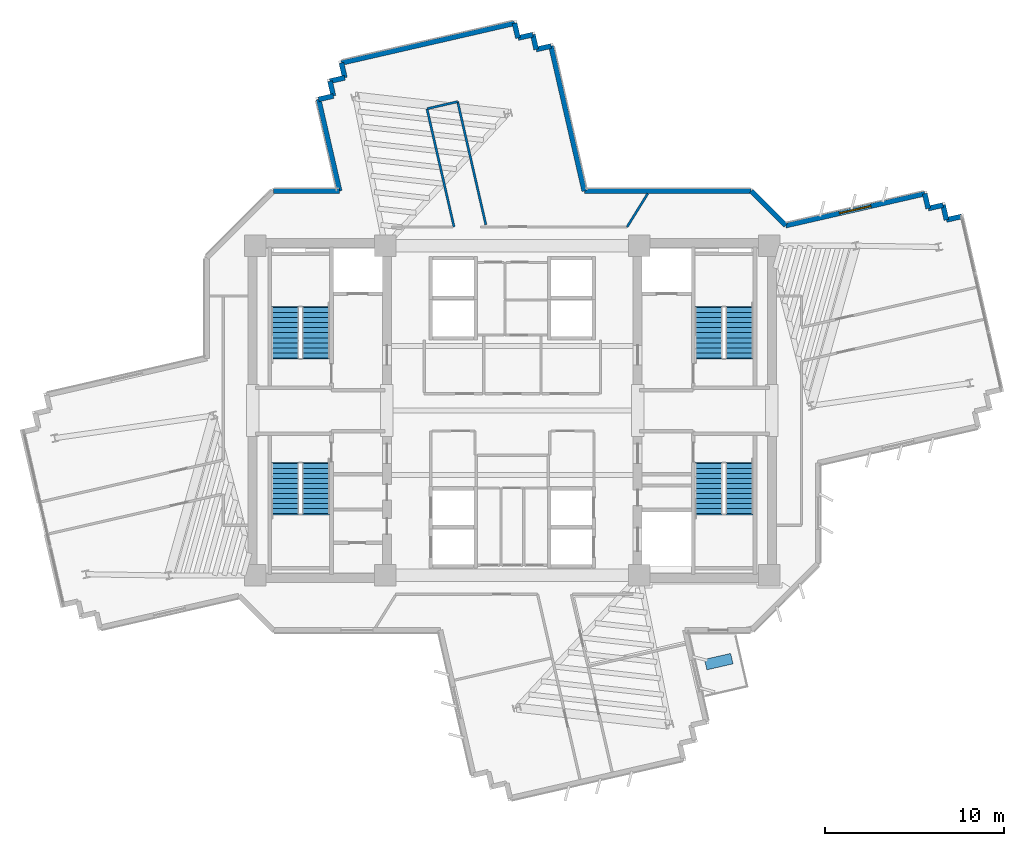
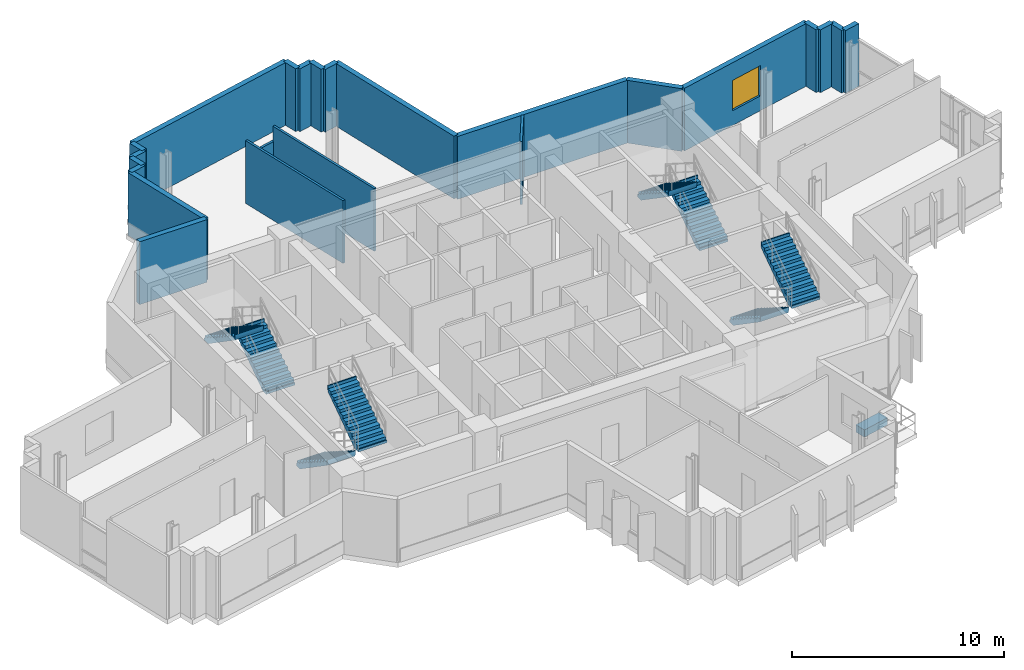
# One storey, part 10 of 13: 23 walls, 8 stair flights, 1 discrete accessory, 1 window, 1 opening, 4 elements without a shape of their own.
"""IFC4 building model written with IfcOpenShell, lengths in metres."""

from ifc_helpers import new_model, si_unit, direction, frame, frame_2d, origin, origin_2d, place, context, subcontext, project, spatial, polyline, rectangle, outline, extrude, source, transform, mapped, material, layer, layer_set, type_object, element, fill, aggregate, save


model = new_model("IFC4")

# Units and contexts
model_context = context("Model", 3, precision=1e-05, world=origin(), true_north=direction((0.0, 1.0)))
body_context = subcontext(model_context, "Body", "Model", "MODEL_VIEW")
ifc_project = project(units=[si_unit("LENGTHUNIT", "METRE"), si_unit("AREAUNIT", "SQUARE_METRE"), si_unit("VOLUMEUNIT", "CUBIC_METRE"), si_unit("PLANEANGLEUNIT", "RADIAN"), si_unit("MASSUNIT", "GRAM", prefix="KILO")], contexts=[model_context])

# Site, building, storey
site_placement = place(None, origin())
site = spatial("IfcSite", under=ifc_project, at=site_placement, CompositionType="ELEMENT")
building_placement = place(site_placement, origin())
building = spatial("IfcBuilding", under=site, at=building_placement, Name="Zahravan Cultural Tower", CompositionType="ELEMENT")
storey_placement = place(building_placement, frame((0.0, 0.0, 170.699951171875)))
storey = spatial("IfcBuildingStorey", under=building, at=storey_placement, Name="L39", CompositionType="ELEMENT", Elevation=170.699951171875)

# Wall, opening, window
ifc_material_1 = material(Name="Precast concrete C40/50", Category="concrete")
ifc_layer_1 = layer(ifc_material_1, 0.280029296875)
ifc_layer_set_1 = layer_set([ifc_layer_1], Name="Precast concrete C40/50")
wall_type_1 = type_object("IfcWallType", Name="EW-TC-280", PredefinedType="SOLIDWALL", material=ifc_layer_set_1)
wall_1_placement = place(storey_placement, frame((51.266845703125, 37.335205078125, 0.0), z_axis=(0.0, 0.0, 1.0), x_axis=(0.974683655327, 0.223588398711, 0.0)))
wall_1 = element("IfcWall", 1, at=wall_1_placement, inside=storey, type_object=wall_type_1, Name="L39 Exterior Masonry Frame Wall 01", PredefinedType="SOLIDWALL", context=body_context, shape_type="SweptSolid", body=[
    extrude(rectangle(XDim=7.96875, YDim=0.280029296875, at=frame_2d((3.984375, 0.0))), origin(), (0.0, 0.0, 1.0), 3.6201171875),
])
opening_placement = place(wall_1_placement, frame((3.083984375, 0.0, 0.85009765625)))
opening = element("IfcOpeningElement", 2, at=opening_placement, cuts=wall_1, Name="Opening WN-02", PredefinedType="OPENING", context=body_context, shape_type="SweptSolid", body=[
    extrude(rectangle(XDim=1.800048828125, YDim=1.75, at=frame_2d((0.89990234375, 0.875))), frame((0.0, 0.14990234375, 0.0), z_axis=(0.0, -1.0, 0.0), x_axis=(1.0, 0.0, 0.0)), (0.0, 0.0, 1.0), 0.300048828125),
])
ifc_material_2 = material(Name="Low-E solar-control double glazing", Category="glass")
window_type = type_object("IfcWindowType", Name="WN-REC-1800X1750", PartitioningType="DOUBLE_PANEL_VERTICAL", PredefinedType="WINDOW", material=ifc_material_2)
shared_shape_1 = source(origin(), body_context, "Body", "SweptSolid", [
    extrude(rectangle(XDim=1.800048828125, YDim=1.75, at=frame_2d((0.89990234375, 0.875))), frame((0.0, 0.030029296875, 0.0), z_axis=(0.0, -1.0, 0.0), x_axis=(1.0, 0.0, 0.0)), (0.0, 0.0, 1.0), 0.06005859375),
])
window_placement = place(opening_placement, origin())
window = element("IfcWindow", 3, at=window_placement, inside=storey, type_object=window_type, Name="L39 Recessed Solar Window 01", OverallHeight=1.75, OverallWidth=1.800048828125, PartitioningType="DOUBLE_PANEL_VERTICAL", PredefinedType="WINDOW", context=body_context, shape_type="MappedRepresentation", body=[
    mapped(shared_shape_1, transform((0.0, 0.0, 0.0), x_axis=(1.0, 0.0, 0.0), y_axis=(0.0, 1.0, 0.0), z_axis=(0.0, 0.0, 1.0), scale=1.0)),
])
fill(opening, window)

# Walls
shared_shape_2 = source(origin(), body_context, "Body", "SweptSolid", [
    extrude(rectangle(XDim=0.85009765625, YDim=0.280029296875, at=frame_2d((0.425048828125, 0.0))), origin(), (0.0, 0.0, 1.0), 3.6201171875),
])
for number, where, z_axis, x_axis, name in (
    (4, (59.033935546875, 39.116943359375, 0.0), (0.0, 0.0, 1.0), (0.223433001597, -0.974719289743, 0.0), "L39 Exterior Masonry Frame Wall 02"),
    (5, (59.223876953125, 38.288330078125, 0.0), (0.0, 0.0, 1.0), (0.974656710285, 0.22370582714, 0.0), "L39 Exterior Masonry Frame Wall 03"),
    (6, (60.052490234375, 38.478515625, 0.0), (0.0, 0.0, 1.0), (0.22370582714, -0.974656710285, 0.0), "L39 Exterior Masonry Frame Wall 04"),
    (7, (26.00830078125, 44.57080078125, 0.0), (0.0, 0.0, 1.0), (-0.223433001597, 0.974719289743, 0.0), "L39 Exterior Masonry Frame Wall 42"),
    (8, (25.818359375, 45.3994140625, 0.0), (0.0, 0.0, 1.0), (0.974719289743, 0.223433001597, 0.0), "L39 Exterior Masonry Frame Wall 43"),
    (9, (36.315673828125, 47.807373046875, 0.0), (0.0, 0.0, 1.0), (0.974719289743, 0.223433001597, 0.0), "L39 Exterior Masonry Frame Wall 47"),
):
    element("IfcWall", number, at=place(storey_placement, frame(where, z_axis=z_axis, x_axis=x_axis)), inside=storey, type_object=wall_type_1, Name=name, PredefinedType="SOLIDWALL", context=body_context, shape_type="MappedRepresentation", body=[
        mapped(shared_shape_2, transform((0.0, 0.0, 0.0), x_axis=(1.0, 0.0, 0.0), y_axis=(0.0, 1.0, 0.0), z_axis=(0.0, 0.0, 1.0), scale=1.0)),
    ])
shared_shape_3 = source(origin(), body_context, "Body", "SweptSolid", [
    extrude(rectangle(XDim=0.849853515625, YDim=0.280029296875, at=frame_2d((0.4248046875, 0.0))), origin(), (0.0, 0.0, 1.0), 3.6201171875),
])
for number, where, z_axis, x_axis, name in (
    (10, (25.179931640625, 44.380859375, 0.0), (0.0, 0.0, 1.0), (0.974704946586, 0.223495563939, 0.0), "L39 Exterior Masonry Frame Wall 41"),
    (11, (26.64697265625, 45.58935546875, 0.0), (0.0, 0.0, 1.0), (-0.223768457828, 0.974642333003, 0.0), "L39 Exterior Masonry Frame Wall 44"),
    (12, (36.12548828125, 48.6357421875, 0.0), (0.0, 0.0, 1.0), (0.223768457828, -0.974642333003, 0.0), "L39 Exterior Masonry Frame Wall 46"),
    (13, (37.144287109375, 47.997314453125, 0.0), (0.0, 0.0, 1.0), (0.223495563939, -0.974704946586, 0.0), "L39 Exterior Masonry Frame Wall 48"),
    (14, (37.334228515625, 47.1689453125, 0.0), (0.0, 0.0, 1.0), (0.974704946586, 0.223495563939, 0.0), "L39 Exterior Masonry Frame Wall 49"),
):
    element("IfcWall", number, at=place(storey_placement, frame(where, z_axis=z_axis, x_axis=x_axis)), inside=storey, type_object=wall_type_1, Name=name, PredefinedType="SOLIDWALL", context=body_context, shape_type="MappedRepresentation", body=[
        mapped(shared_shape_3, transform((0.0, 0.0, 0.0), x_axis=(1.0, 0.0, 0.0), y_axis=(0.0, 1.0, 0.0), z_axis=(0.0, 0.0, 1.0), scale=1.0)),
    ])
shared_shape_4 = source(origin(), body_context, "Body", "SweptSolid", [
    extrude(rectangle(XDim=9.919921875, YDim=0.280029296875, at=frame_2d((4.9599609375, 0.0))), origin(), (0.0, 0.0, 1.0), 3.6201171875),
])
wall_2_placement = place(storey_placement, frame((26.456787109375, 46.417724609375, 0.0), z_axis=(0.0, 0.0, 1.0), x_axis=(0.974682391567, 0.223593907719, 0.0)))
element("IfcWall", 15, at=wall_2_placement, inside=storey, type_object=wall_type_1, Name="L39 Exterior Masonry Frame Wall 45", PredefinedType="SOLIDWALL", context=body_context, shape_type="MappedRepresentation", body=[
    mapped(shared_shape_4, transform((0.0, 0.0, 0.0), x_axis=(1.0, 0.0, 0.0), y_axis=(0.0, 1.0, 0.0), z_axis=(0.0, 0.0, 1.0), scale=1.0)),
])
shared_shape_5 = source(origin(), body_context, "Body", "SweptSolid", [
    extrude(rectangle(XDim=0.849609375, YDim=0.280029296875, at=frame_2d((0.4248046875, 0.0))), origin(), (0.0, 0.0, 1.0), 3.6201171875),
])
wall_3_placement = place(storey_placement, frame((60.24267578125, 37.64990234375, 0.0), z_axis=(0.0, 0.0, 1.0), x_axis=(0.97462794364, 0.22383112267, 0.0)))
element("IfcWall", 16, at=wall_3_placement, inside=storey, type_object=wall_type_1, Name="L39 Exterior Masonry Frame Wall 05", PredefinedType="SOLIDWALL", context=body_context, shape_type="MappedRepresentation", body=[
    mapped(shared_shape_5, transform((0.0, 0.0, 0.0), x_axis=(1.0, 0.0, 0.0), y_axis=(0.0, 1.0, 0.0), z_axis=(0.0, 0.0, 1.0), scale=1.0)),
])
shared_shape_6 = source(origin(), body_context, "Body", "SweptSolid", [
    extrude(rectangle(XDim=2.72216796875, YDim=0.280029296875, at=frame_2d((1.361083984375, 0.0))), origin(), (0.0, 0.0, 1.0), 3.6201171875),
])
wall_4_placement = place(storey_placement, frame((49.342041015625, 39.260009765625, 0.0), z_axis=(0.0, 0.0, 1.0), x_axis=(0.707106781187, -0.707106781187, 0.0)))
element("IfcWall", 17, at=wall_4_placement, inside=storey, type_object=wall_type_1, Name="L39 Exterior Masonry Frame Wall 52", PredefinedType="SOLIDWALL", context=body_context, shape_type="MappedRepresentation", body=[
    mapped(shared_shape_6, transform((0.0, 0.0, 0.0), x_axis=(1.0, 0.0, 0.0), y_axis=(0.0, 1.0, 0.0), z_axis=(0.0, 0.0, 1.0), scale=1.0)),
])
shared_shape_7 = source(origin(), body_context, "Body", "SweptSolid", [
    extrude(rectangle(XDim=3.696533203125, YDim=0.280029296875, at=frame_2d((1.84814453125, 0.0))), origin(), (0.0, 0.0, 1.0), 3.6201171875),
])
wall_5_placement = place(storey_placement, frame((22.657958984375, 39.260009765625, 0.0), z_axis=(0.0, 0.0, 1.0), x_axis=(1.0, 0.0, 0.0)))
element("IfcWall", 18, at=wall_5_placement, inside=storey, type_object=wall_type_1, Name="L39 Exterior Masonry Frame Wall 39", PredefinedType="SOLIDWALL", context=body_context, shape_type="MappedRepresentation", body=[
    mapped(shared_shape_7, transform((0.0, 0.0, 0.0), x_axis=(1.0, 0.0, 0.0), y_axis=(0.0, 1.0, 0.0), z_axis=(0.0, 0.0, 1.0), scale=1.0)),
])
shared_shape_8 = source(origin(), body_context, "Body", "SweptSolid", [
    extrude(rectangle(XDim=5.25390625, YDim=0.280029296875, at=frame_2d((2.626953125, 0.0))), origin(), (0.0, 0.0, 1.0), 3.6201171875),
])
wall_6_placement = place(storey_placement, frame((26.3544921875, 39.260009765625, 0.0), z_axis=(0.0, 0.0, 1.0), x_axis=(-0.223562871808, 0.974689510741, 0.0)))
element("IfcWall", 19, at=wall_6_placement, inside=storey, type_object=wall_type_1, Name="L39 Exterior Masonry Frame Wall 40", PredefinedType="SOLIDWALL", context=body_context, shape_type="MappedRepresentation", body=[
    mapped(shared_shape_8, transform((0.0, 0.0, 0.0), x_axis=(1.0, 0.0, 0.0), y_axis=(0.0, 1.0, 0.0), z_axis=(0.0, 0.0, 1.0), scale=1.0)),
])
shared_shape_9 = source(origin(), body_context, "Body", "SweptSolid", [
    extrude(rectangle(XDim=8.309326171875, YDim=0.280029296875, at=frame_2d((4.15478515625, 0.0))), origin(), (0.0, 0.0, 1.0), 3.6201171875),
])
wall_7_placement = place(storey_placement, frame((38.16259765625, 47.35888671875, 0.0), z_axis=(0.0, 0.0, 1.0), x_axis=(0.223595405455, -0.974682047983, 0.0)))
element("IfcWall", 20, at=wall_7_placement, inside=storey, type_object=wall_type_1, Name="L39 Exterior Masonry Frame Wall 50", PredefinedType="SOLIDWALL", context=body_context, shape_type="MappedRepresentation", body=[
    mapped(shared_shape_9, transform((0.0, 0.0, 0.0), x_axis=(1.0, 0.0, 0.0), y_axis=(0.0, 1.0, 0.0), z_axis=(0.0, 0.0, 1.0), scale=1.0)),
])
shared_shape_10 = source(origin(), body_context, "Body", "SweptSolid", [
    extrude(rectangle(XDim=9.321533203125, YDim=0.280029296875, at=frame_2d((4.66064453125, 0.0))), origin(), (0.0, 0.0, 1.0), 3.6201171875),
])
wall_8_placement = place(storey_placement, frame((40.0205078125, 39.260009765625, 0.0), z_axis=(0.0, 0.0, 1.0), x_axis=(1.0, 0.0, 0.0)))
element("IfcWall", 21, at=wall_8_placement, inside=storey, type_object=wall_type_1, Name="L39 Exterior Masonry Frame Wall 51", PredefinedType="SOLIDWALL", context=body_context, shape_type="MappedRepresentation", body=[
    mapped(shared_shape_10, transform((0.0, 0.0, 0.0), x_axis=(1.0, 0.0, 0.0), y_axis=(0.0, 1.0, 0.0), z_axis=(0.0, 0.0, 1.0), scale=1.0)),
])
ifc_material_3 = material(Name="Gypsum plasterboard partition")
ifc_layer_2 = layer(ifc_material_3, 0.125)
ifc_layer_set_2 = layer_set([ifc_layer_2], Name="Gypsum plasterboard partition")
wall_type_2 = type_object("IfcWallType", Name="W-PART-125", PredefinedType="PARTITIONING", material=ifc_layer_set_2)
shared_shape_11 = source(origin(), body_context, "Body", "SweptSolid", [
    extrude(rectangle(XDim=2.182861328125, YDim=0.125, at=frame_2d((1.09130859375, 0.0))), origin(), (0.0, 0.0, 1.0), 3.6201171875),
])
wall_9_placement = place(storey_placement, frame((42.4091796875, 37.260009765625, 0.0), z_axis=(0.0, 0.0, 1.0), x_axis=(0.527120623754, 0.849790473007, 0.0)))
element("IfcWall", 22, at=wall_9_placement, inside=storey, type_object=wall_type_2, Name="L39 Interior Wall 104", PredefinedType="PARTITIONING", context=body_context, shape_type="MappedRepresentation", body=[
    mapped(shared_shape_11, transform((0.0, 0.0, 0.0), x_axis=(1.0, 0.0, 0.0), y_axis=(0.0, 1.0, 0.0), z_axis=(0.0, 0.0, 1.0), scale=1.0)),
])
shared_shape_12 = source(origin(), body_context, "Body", "SweptSolid", [
    extrude(rectangle(XDim=6.768798828125, YDim=0.125, at=frame_2d((3.38427734375, 0.0))), origin(), (0.0, 0.0, 1.0), 3.6201171875),
])
wall_10_placement = place(storey_placement, frame((31.232666015625, 43.858154296875, 0.0), z_axis=(0.0, 0.0, 1.0), x_axis=(0.223189104044, -0.974775165787, 0.0)))
element("IfcWall", 23, at=wall_10_placement, inside=storey, type_object=wall_type_2, Name="L39 Interior Wall 112", PredefinedType="PARTITIONING", context=body_context, shape_type="MappedRepresentation", body=[
    mapped(shared_shape_12, transform((0.0, 0.0, 0.0), x_axis=(1.0, 0.0, 0.0), y_axis=(0.0, 1.0, 0.0), z_axis=(0.0, 0.0, 1.0), scale=1.0)),
])
shared_shape_13 = source(origin(), body_context, "Body", "SweptSolid", [
    extrude(rectangle(XDim=7.033447265625, YDim=0.125, at=frame_2d((3.5166015625, 0.0))), origin(), (0.0, 0.0, 1.0), 3.6201171875),
])
wall_11_placement = place(storey_placement, frame((34.52001953125, 37.387939453125, 0.0), z_axis=(0.0, 0.0, 1.0), x_axis=(-0.223607001963, 0.974679387631, 0.0)))
element("IfcWall", 24, at=wall_11_placement, inside=storey, type_object=wall_type_2, Name="L39 Interior Wall 115", PredefinedType="PARTITIONING", context=body_context, shape_type="MappedRepresentation", body=[
    mapped(shared_shape_13, transform((0.0, 0.0, 0.0), x_axis=(1.0, 0.0, 0.0), y_axis=(0.0, 1.0, 0.0), z_axis=(0.0, 0.0, 1.0), scale=1.0)),
])
shared_shape_14 = source(origin(), body_context, "Body", "SweptSolid", [
    extrude(rectangle(XDim=1.724609375, YDim=0.125, at=frame_2d((0.8623046875, 0.0))), origin(), (0.0, 0.0, 1.0), 2.761962890625),
])
wall_12_placement = place(storey_placement, frame((32.940185546875, 44.25146484375, 0.0), z_axis=(0.0, 0.0, 1.0), x_axis=(-0.974472248715, -0.224507987574, 0.0)))
element("IfcWall", 25, at=wall_12_placement, inside=storey, type_object=wall_type_2, Name="L39 Interior Wall 116", PredefinedType="PARTITIONING", context=body_context, shape_type="MappedRepresentation", body=[
    mapped(shared_shape_14, transform((0.0, 0.0, 0.0), x_axis=(1.0, 0.0, 0.0), y_axis=(0.0, 1.0, 0.0), z_axis=(0.0, 0.0, 1.0), scale=1.0)),
])

# Stair, stair flights
ifc_material_4 = material(Name="Concrete C45/55", Category="concrete")
stair_type = type_object("IfcStairType", Name="STR-DL-1550-390", PredefinedType="HALF_TURN_STAIR", material=ifc_material_4)
stair_1_placement = place(storey_placement, origin())
stair_1 = element("IfcStair", 26, at=stair_1_placement, inside=storey, type_object=stair_type, Name="L39 West Core North Exit Stair ST-W1", PredefinedType="HALF_TURN_STAIR")
stair_flight_type = type_object("IfcStairFlightType", Name="FLG-DL-1550-390", PredefinedType="STRAIGHT", material=ifc_material_4)
stair_flight_1_placement = place(storey_placement, frame((25.02490234375, 29.949951171875, 0.0), z_axis=(0.0, 0.0, 1.0), x_axis=(0.0, 1.0, 0.0)))
stair_flight_1 = element("IfcStairFlight", 27, at=stair_flight_1_placement, type_object=stair_flight_type, Name="ST-W1 flight 1", NumberOfRisers=11, NumberOfTreads=10, PredefinedType="STRAIGHT", RiserHeight=0.177272727, TreadLength=0.28, context=body_context, shape_type="SweptSolid", body=[
    extrude(outline(polyline([(-0.06494140625, -0.139892578125), (-0.06494140625, 0.0), (0.0, 0.0), (0.0, 0.17724609375), (0.280029296875, 0.17724609375), (0.280029296875, 0.3544921875), (0.56005859375, 0.3544921875), (0.56005859375, 0.53173828125), (0.840087890625, 0.53173828125), (0.840087890625, 0.708984375), (1.1201171875, 0.708984375), (1.1201171875, 0.886474609375), (1.39990234375, 0.886474609375), (1.39990234375, 1.063720703125), (1.679931640625, 1.063720703125), (1.679931640625, 1.240966796875), (1.9599609375, 1.240966796875), (1.9599609375, 1.418212890625), (2.239990234375, 1.418212890625), (2.239990234375, 1.595458984375), (2.52001953125, 1.595458984375), (2.52001953125, 1.772705078125), (2.800048828125, 1.772705078125), (2.800048828125, 1.949951171875), (2.864990234375, 1.949951171875), (2.864990234375, 1.800048828125), (2.800048828125, 1.59521484375), (0.2802734375, -0.139892578125), (-0.06494140625, -0.139892578125)])), frame((0.0, 0.77490234375, 0.0), z_axis=(0.0, -1.0, 0.0), x_axis=(1.0, 0.0, 0.0)), (0.0, 0.0, 1.0), 1.550048828125),
])
stair_flight_2_placement = place(storey_placement, frame((23.324951171875, 32.75, 1.949951171875), z_axis=(0.0, 0.0, 1.0), x_axis=(0.0, -1.0, 0.0)))
stair_flight_2 = element("IfcStairFlight", 28, at=stair_flight_2_placement, type_object=stair_flight_type, Name="ST-W1 flight 2", NumberOfRisers=11, NumberOfTreads=10, PredefinedType="STRAIGHT", RiserHeight=0.177272727, TreadLength=0.28, context=body_context, shape_type="SweptSolid", body=[
    extrude(outline(polyline([(-0.06494140625, -0.139892578125), (-0.06494140625, 0.0), (0.0, 0.0), (0.0, 0.17724609375), (0.280029296875, 0.17724609375), (0.280029296875, 0.3544921875), (0.56005859375, 0.3544921875), (0.56005859375, 0.53173828125), (0.840087890625, 0.53173828125), (0.840087890625, 0.708984375), (1.1201171875, 0.708984375), (1.1201171875, 0.886474609375), (1.39990234375, 0.886474609375), (1.39990234375, 1.063720703125), (1.679931640625, 1.063720703125), (1.679931640625, 1.240966796875), (1.9599609375, 1.240966796875), (1.9599609375, 1.418212890625), (2.239990234375, 1.418212890625), (2.239990234375, 1.595458984375), (2.52001953125, 1.595458984375), (2.52001953125, 1.772705078125), (2.800048828125, 1.772705078125), (2.800048828125, 1.949951171875), (2.864990234375, 1.949951171875), (2.864990234375, 1.800048828125), (2.800048828125, 1.59521484375), (0.2802734375, -0.139892578125), (-0.06494140625, -0.139892578125)])), frame((0.0, 0.77490234375, 0.0), z_axis=(0.0, -1.0, 0.0), x_axis=(1.0, 0.0, 0.0)), (0.0, 0.0, 1.0), 1.550048828125),
])
aggregate(stair_1, [stair_flight_1, stair_flight_2])

stair_2_placement = place(storey_placement, origin())
stair_2 = element("IfcStair", 29, at=stair_2_placement, inside=storey, type_object=stair_type, Name="L39 West Core South Exit Stair ST-W2", PredefinedType="HALF_TURN_STAIR")
stair_flight_3_placement = place(storey_placement, frame((23.324951171875, 24.050048828125, 0.0), z_axis=(0.0, 0.0, 1.0), x_axis=(0.0, -1.0, 0.0)))
stair_flight_3 = element("IfcStairFlight", 30, at=stair_flight_3_placement, type_object=stair_flight_type, Name="ST-W2 flight 1", NumberOfRisers=11, NumberOfTreads=10, PredefinedType="STRAIGHT", RiserHeight=0.177272727, TreadLength=0.28, context=body_context, shape_type="SweptSolid", body=[
    extrude(outline(polyline([(-0.06494140625, -0.139892578125), (-0.06494140625, 0.0), (0.0, 0.0), (0.0, 0.17724609375), (0.280029296875, 0.17724609375), (0.280029296875, 0.3544921875), (0.56005859375, 0.3544921875), (0.56005859375, 0.53173828125), (0.840087890625, 0.53173828125), (0.840087890625, 0.708984375), (1.1201171875, 0.708984375), (1.1201171875, 0.886474609375), (1.39990234375, 0.886474609375), (1.39990234375, 1.063720703125), (1.679931640625, 1.063720703125), (1.679931640625, 1.240966796875), (1.9599609375, 1.240966796875), (1.9599609375, 1.418212890625), (2.239990234375, 1.418212890625), (2.239990234375, 1.595458984375), (2.52001953125, 1.595458984375), (2.52001953125, 1.772705078125), (2.800048828125, 1.772705078125), (2.800048828125, 1.949951171875), (2.864990234375, 1.949951171875), (2.864990234375, 1.800048828125), (2.800048828125, 1.59521484375), (0.2802734375, -0.139892578125), (-0.06494140625, -0.139892578125)])), frame((0.0, 0.77490234375, 0.0), z_axis=(0.0, -1.0, 0.0), x_axis=(1.0, 0.0, 0.0)), (0.0, 0.0, 1.0), 1.550048828125),
])
stair_flight_4_placement = place(storey_placement, frame((25.02490234375, 21.25, 1.949951171875), z_axis=(0.0, 0.0, 1.0), x_axis=(0.0, 1.0, 0.0)))
stair_flight_4 = element("IfcStairFlight", 31, at=stair_flight_4_placement, type_object=stair_flight_type, Name="ST-W2 flight 2", NumberOfRisers=11, NumberOfTreads=10, PredefinedType="STRAIGHT", RiserHeight=0.177272727, TreadLength=0.28, context=body_context, shape_type="SweptSolid", body=[
    extrude(outline(polyline([(-0.06494140625, -0.139892578125), (-0.06494140625, 0.0), (0.0, 0.0), (0.0, 0.17724609375), (0.280029296875, 0.17724609375), (0.280029296875, 0.3544921875), (0.56005859375, 0.3544921875), (0.56005859375, 0.53173828125), (0.840087890625, 0.53173828125), (0.840087890625, 0.708984375), (1.1201171875, 0.708984375), (1.1201171875, 0.886474609375), (1.39990234375, 0.886474609375), (1.39990234375, 1.063720703125), (1.679931640625, 1.063720703125), (1.679931640625, 1.240966796875), (1.9599609375, 1.240966796875), (1.9599609375, 1.418212890625), (2.239990234375, 1.418212890625), (2.239990234375, 1.595458984375), (2.52001953125, 1.595458984375), (2.52001953125, 1.772705078125), (2.800048828125, 1.772705078125), (2.800048828125, 1.949951171875), (2.864990234375, 1.949951171875), (2.864990234375, 1.800048828125), (2.800048828125, 1.59521484375), (0.2802734375, -0.139892578125), (-0.06494140625, -0.139892578125)])), frame((0.0, 0.77490234375, 0.0), z_axis=(0.0, -1.0, 0.0), x_axis=(1.0, 0.0, 0.0)), (0.0, 0.0, 1.0), 1.550048828125),
])
aggregate(stair_2, [stair_flight_3, stair_flight_4])

stair_3_placement = place(storey_placement, origin())
stair_3 = element("IfcStair", 32, at=stair_3_placement, inside=storey, type_object=stair_type, Name="L39 East Core North Exit Stair ST-E1", PredefinedType="HALF_TURN_STAIR")
stair_flight_5_placement = place(storey_placement, frame((48.675048828125, 29.949951171875, 0.0), z_axis=(0.0, 0.0, 1.0), x_axis=(0.0, 1.0, 0.0)))
stair_flight_5 = element("IfcStairFlight", 33, at=stair_flight_5_placement, type_object=stair_flight_type, Name="ST-E1 flight 1", NumberOfRisers=11, NumberOfTreads=10, PredefinedType="STRAIGHT", RiserHeight=0.177272727, TreadLength=0.28, context=body_context, shape_type="SweptSolid", body=[
    extrude(outline(polyline([(-0.06494140625, -0.139892578125), (-0.06494140625, 0.0), (0.0, 0.0), (0.0, 0.17724609375), (0.280029296875, 0.17724609375), (0.280029296875, 0.3544921875), (0.56005859375, 0.3544921875), (0.56005859375, 0.53173828125), (0.840087890625, 0.53173828125), (0.840087890625, 0.708984375), (1.1201171875, 0.708984375), (1.1201171875, 0.886474609375), (1.39990234375, 0.886474609375), (1.39990234375, 1.063720703125), (1.679931640625, 1.063720703125), (1.679931640625, 1.240966796875), (1.9599609375, 1.240966796875), (1.9599609375, 1.418212890625), (2.239990234375, 1.418212890625), (2.239990234375, 1.595458984375), (2.52001953125, 1.595458984375), (2.52001953125, 1.772705078125), (2.800048828125, 1.772705078125), (2.800048828125, 1.949951171875), (2.864990234375, 1.949951171875), (2.864990234375, 1.800048828125), (2.800048828125, 1.59521484375), (0.2802734375, -0.139892578125), (-0.06494140625, -0.139892578125)])), frame((0.0, 0.77490234375, 0.0), z_axis=(0.0, -1.0, 0.0), x_axis=(1.0, 0.0, 0.0)), (0.0, 0.0, 1.0), 1.550048828125),
])
stair_flight_6_placement = place(storey_placement, frame((46.97509765625, 32.75, 1.949951171875), z_axis=(0.0, 0.0, 1.0), x_axis=(0.0, -1.0, 0.0)))
stair_flight_6 = element("IfcStairFlight", 34, at=stair_flight_6_placement, type_object=stair_flight_type, Name="ST-E1 flight 2", NumberOfRisers=11, NumberOfTreads=10, PredefinedType="STRAIGHT", RiserHeight=0.177272727, TreadLength=0.28, context=body_context, shape_type="SweptSolid", body=[
    extrude(outline(polyline([(-0.06494140625, -0.139892578125), (-0.06494140625, 0.0), (0.0, 0.0), (0.0, 0.17724609375), (0.280029296875, 0.17724609375), (0.280029296875, 0.3544921875), (0.56005859375, 0.3544921875), (0.56005859375, 0.53173828125), (0.840087890625, 0.53173828125), (0.840087890625, 0.708984375), (1.1201171875, 0.708984375), (1.1201171875, 0.886474609375), (1.39990234375, 0.886474609375), (1.39990234375, 1.063720703125), (1.679931640625, 1.063720703125), (1.679931640625, 1.240966796875), (1.9599609375, 1.240966796875), (1.9599609375, 1.418212890625), (2.239990234375, 1.418212890625), (2.239990234375, 1.595458984375), (2.52001953125, 1.595458984375), (2.52001953125, 1.772705078125), (2.800048828125, 1.772705078125), (2.800048828125, 1.949951171875), (2.864990234375, 1.949951171875), (2.864990234375, 1.800048828125), (2.800048828125, 1.59521484375), (0.2802734375, -0.139892578125), (-0.06494140625, -0.139892578125)])), frame((0.0, 0.77490234375, 0.0), z_axis=(0.0, -1.0, 0.0), x_axis=(1.0, 0.0, 0.0)), (0.0, 0.0, 1.0), 1.550048828125),
])
aggregate(stair_3, [stair_flight_5, stair_flight_6])

stair_4_placement = place(storey_placement, origin())
stair_4 = element("IfcStair", 35, at=stair_4_placement, inside=storey, type_object=stair_type, Name="L39 East Core South Exit Stair ST-E2", PredefinedType="HALF_TURN_STAIR")
stair_flight_7_placement = place(storey_placement, frame((46.97509765625, 24.050048828125, 0.0), z_axis=(0.0, 0.0, 1.0), x_axis=(0.0, -1.0, 0.0)))
stair_flight_7 = element("IfcStairFlight", 36, at=stair_flight_7_placement, type_object=stair_flight_type, Name="ST-E2 flight 1", NumberOfRisers=11, NumberOfTreads=10, PredefinedType="STRAIGHT", RiserHeight=0.177272727, TreadLength=0.28, context=body_context, shape_type="SweptSolid", body=[
    extrude(outline(polyline([(-0.06494140625, -0.139892578125), (-0.06494140625, 0.0), (0.0, 0.0), (0.0, 0.17724609375), (0.280029296875, 0.17724609375), (0.280029296875, 0.3544921875), (0.56005859375, 0.3544921875), (0.56005859375, 0.53173828125), (0.840087890625, 0.53173828125), (0.840087890625, 0.708984375), (1.1201171875, 0.708984375), (1.1201171875, 0.886474609375), (1.39990234375, 0.886474609375), (1.39990234375, 1.063720703125), (1.679931640625, 1.063720703125), (1.679931640625, 1.240966796875), (1.9599609375, 1.240966796875), (1.9599609375, 1.418212890625), (2.239990234375, 1.418212890625), (2.239990234375, 1.595458984375), (2.52001953125, 1.595458984375), (2.52001953125, 1.772705078125), (2.800048828125, 1.772705078125), (2.800048828125, 1.949951171875), (2.864990234375, 1.949951171875), (2.864990234375, 1.800048828125), (2.800048828125, 1.59521484375), (0.2802734375, -0.139892578125), (-0.06494140625, -0.139892578125)])), frame((0.0, 0.77490234375, 0.0), z_axis=(0.0, -1.0, 0.0), x_axis=(1.0, 0.0, 0.0)), (0.0, 0.0, 1.0), 1.550048828125),
])
stair_flight_8_placement = place(storey_placement, frame((48.675048828125, 21.25, 1.949951171875), z_axis=(0.0, 0.0, 1.0), x_axis=(0.0, 1.0, 0.0)))
stair_flight_8 = element("IfcStairFlight", 37, at=stair_flight_8_placement, type_object=stair_flight_type, Name="ST-E2 flight 2", NumberOfRisers=11, NumberOfTreads=10, PredefinedType="STRAIGHT", RiserHeight=0.177272727, TreadLength=0.28, context=body_context, shape_type="SweptSolid", body=[
    extrude(outline(polyline([(-0.06494140625, -0.139892578125), (-0.06494140625, 0.0), (0.0, 0.0), (0.0, 0.17724609375), (0.280029296875, 0.17724609375), (0.280029296875, 0.3544921875), (0.56005859375, 0.3544921875), (0.56005859375, 0.53173828125), (0.840087890625, 0.53173828125), (0.840087890625, 0.708984375), (1.1201171875, 0.708984375), (1.1201171875, 0.886474609375), (1.39990234375, 0.886474609375), (1.39990234375, 1.063720703125), (1.679931640625, 1.063720703125), (1.679931640625, 1.240966796875), (1.9599609375, 1.240966796875), (1.9599609375, 1.418212890625), (2.239990234375, 1.418212890625), (2.239990234375, 1.595458984375), (2.52001953125, 1.595458984375), (2.52001953125, 1.772705078125), (2.800048828125, 1.772705078125), (2.800048828125, 1.949951171875), (2.864990234375, 1.949951171875), (2.864990234375, 1.800048828125), (2.800048828125, 1.59521484375), (0.2802734375, -0.139892578125), (-0.06494140625, -0.139892578125)])), frame((0.0, 0.77490234375, 0.0), z_axis=(0.0, -1.0, 0.0), x_axis=(1.0, 0.0, 0.0)), (0.0, 0.0, 1.0), 1.550048828125),
])
aggregate(stair_4, [stair_flight_7, stair_flight_8])

# Discrete accessory
ifc_material_5 = material(Name="Planted soil and terracotta planter", Category="masonry")
discrete_accessory_type = type_object("IfcDiscreteAccessoryType", Name="ACC-PLANTER-TC", PredefinedType="USERDEFINED", material=ifc_material_5)
shared_shape_15 = source(origin(), body_context, "Body", "SweptSolid", [
    extrude(rectangle(XDim=1.5, YDim=0.60009765625, at=origin_2d()), origin(), (0.0, 0.0, 1.0), 0.419921875),
])
discrete_accessory_placement = place(storey_placement, frame((47.528564453125, 12.98291015625, 0.0), z_axis=(0.0, 0.0, 1.0), x_axis=(0.974683205815, 0.223590358248, 0.0)))
element("IfcDiscreteAccessory", 38, at=discrete_accessory_placement, inside=storey, type_object=discrete_accessory_type, Name="L39 Terracotta Sculpture Planter SE", ObjectType="PLANTER", PredefinedType="USERDEFINED", context=body_context, shape_type="MappedRepresentation", body=[
    mapped(shared_shape_15, transform((0.0, 0.0, 0.0), x_axis=(1.0, 0.0, 0.0), y_axis=(0.0, 1.0, 0.0), z_axis=(0.0, 0.0, 1.0), scale=1.0)),
])

save(model, "model.ifc")
